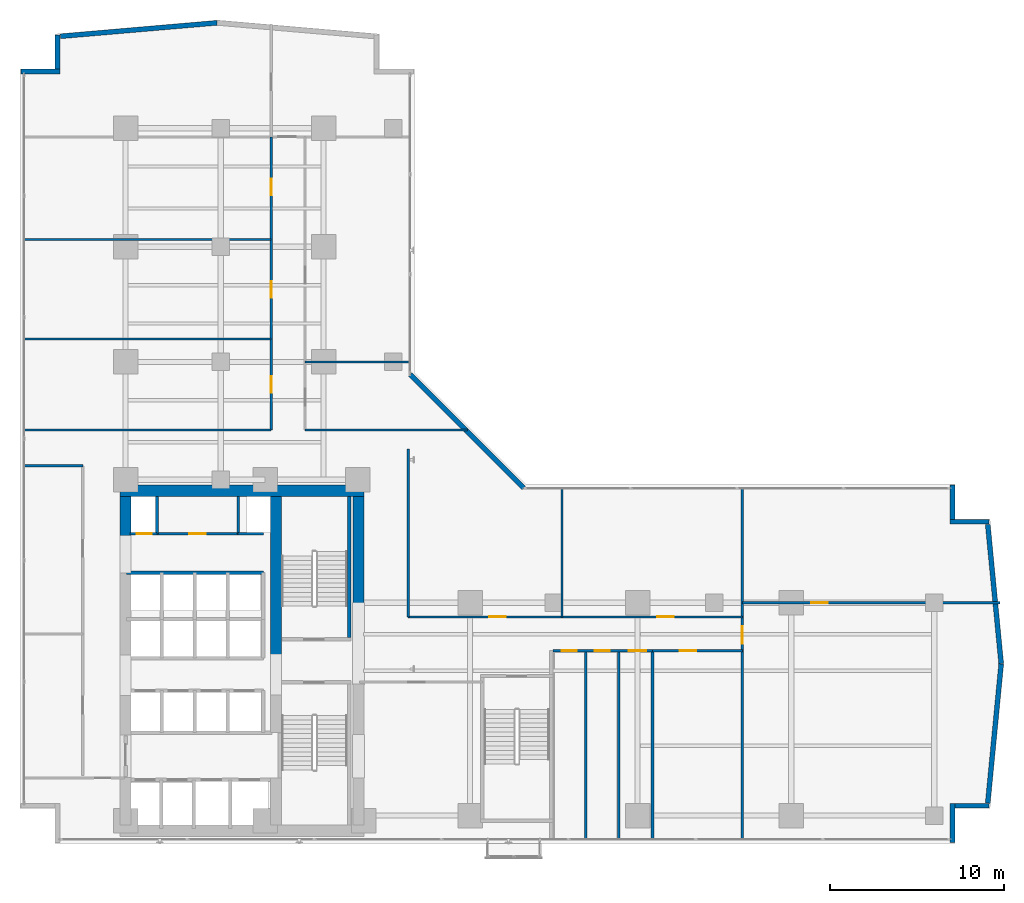
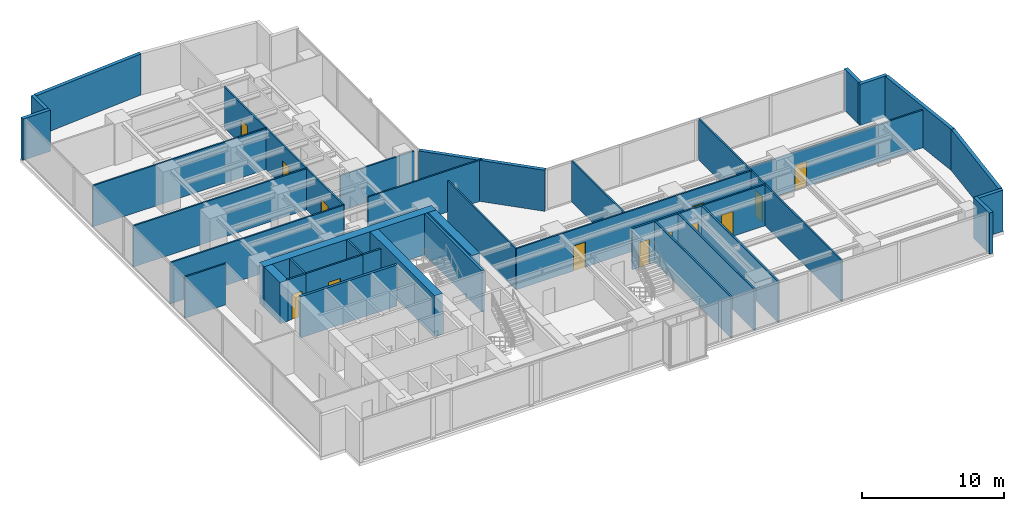
# One storey, part 20 of 24: 38 walls, 13 doors, 13 openings.
"""IFC4 building model written with IfcOpenShell, lengths in metres."""

import ifcopenshell
import ifcopenshell.guid

model = None  # the IFC model being written
_history = None  # IfcOwnerHistory: only IFC2X3 demands one
_inside = {}  # id of a spatial element -> (the spatial element, [elements in it])
_under = {}  # id of a project, library or spatial element -> (it, [spatial elements below it])
_declared = {}  # id of a project -> (the project, [libraries it declares])
_typed = {}  # id of a type object -> (the type object, [elements of that type])
_made_of = {}  # id of a material, layer set ... -> (it, [elements and type objects made of it])


def new_model(schema):
    """Start an empty IFC model of exactly this schema.

    Asked for "IFC4X3", IfcOpenShell would pick the latest addendum, in which some entities
    have other attributes; the version numbers below select the first issue.
    IFC2X3 requires an IfcOwnerHistory on every rooted entity: one is made here for all.
    """
    global model, _history
    if schema == "IFC4X3":
        model = ifcopenshell.file(schema_version=(4, 3, 0, 0))
    else:
        model = ifcopenshell.file(schema=schema)
    _inside.clear()
    _under.clear()
    _declared.clear()
    _typed.clear()
    _made_of.clear()
    _history = None
    if model.schema == "IFC2X3":
        org = make("IfcOrganization", Name="unknown")
        user = make(
            "IfcPersonAndOrganization",
            ThePerson=make("IfcPerson", FamilyName="unknown"),
            TheOrganization=org,
        )
        app = make(
            "IfcApplication",
            ApplicationDeveloper=org,
            Version="unknown",
            ApplicationFullName="unknown",
            ApplicationIdentifier="unknown",
        )
        _history = make(
            "IfcOwnerHistory",
            OwningUser=user,
            OwningApplication=app,
            ChangeAction="ADDED",
            CreationDate=0,
        )
    return model


def make(cls, **values):
    """One entity of the class cls with the attributes given. An attribute that is None is left unset."""
    return model.create_entity(
        cls, **{name: value for name, value in values.items() if value is not None}
    )


def rooted(cls, **values):
    """An entity with a GlobalId (a new one), such as an element, a storey or a relation."""
    return make(cls, GlobalId=ifcopenshell.guid.new(), OwnerHistory=_history, **values)


def si_unit(unit_type, name, prefix=None):
    """IfcSIUnit, for example si_unit("LENGTHUNIT", "METRE", prefix="MILLI")."""
    return make("IfcSIUnit", UnitType=unit_type, Prefix=prefix, Name=name)


def assignment(units):
    """IfcUnitAssignment: the units of a project."""
    return None if units is None else make("IfcUnitAssignment", Units=units)


def point(xyz):
    """IfcCartesianPoint."""
    return None if xyz is None else make("IfcCartesianPoint", Coordinates=xyz)


def direction(xyz):
    """IfcDirection."""
    return None if xyz is None else make("IfcDirection", DirectionRatios=xyz)


def frame(location, z_axis=None, x_axis=None):
    """IfcAxis2Placement3D, a coordinate frame: its origin and axes. An axis left out is left unset."""
    return make(
        "IfcAxis2Placement3D",
        Location=point(location),
        Axis=direction(z_axis),
        RefDirection=direction(x_axis),
    )


def frame_2d(location, x_axis=None):
    """IfcAxis2Placement2D, a coordinate frame in the plane: its origin and x axis."""
    return make(
        "IfcAxis2Placement2D", Location=point(location), RefDirection=direction(x_axis)
    )


def origin():
    """The frame at (0, 0, 0) with its axes left unset."""
    return frame((0.0, 0.0, 0.0))


def place(relative_to, where):
    """IfcLocalPlacement: puts the frame where relative to a parent placement (None: the world)."""
    return make(
        "IfcLocalPlacement", PlacementRelTo=relative_to, RelativePlacement=where
    )


def context(
    kind, dimensions, precision=None, world=None, true_north=None, identifier=None
):
    """IfcGeometricRepresentationContext, for example the 3D "Model" context."""
    return make(
        "IfcGeometricRepresentationContext",
        ContextIdentifier=identifier,
        ContextType=kind,
        CoordinateSpaceDimension=dimensions,
        Precision=precision,
        WorldCoordinateSystem=world,
        TrueNorth=true_north,
    )


def subcontext(parent, identifier, kind, view, scale=None):
    """IfcGeometricRepresentationSubContext, for example "Body" below "Model"."""
    return make(
        "IfcGeometricRepresentationSubContext",
        ContextIdentifier=identifier,
        ContextType=kind,
        ParentContext=parent,
        TargetScale=scale,
        TargetView=view,
    )


def project(units=None, contexts=None):
    """IfcProject with its units and contexts."""
    return rooted(
        "IfcProject",
        Name="project",
        RepresentationContexts=contexts,
        UnitsInContext=assignment(units),
    )


def spatial(cls, under=None, at=None, **own):
    """A site, building, storey or space (cls), placed at a placement, below another one or the project."""
    s = rooted(cls, ObjectPlacement=at, **own)
    if under is not None:
        _under.setdefault(under.id(), (under, []))[1].append(s)
    return s


def profile(cls, at=None, kind="AREA", **sizes):
    """A parametric profile (cls). Its sizes go by their IFC names, for example OverallWidth=200.0."""
    return make(cls, ProfileType=kind, Position=at, **sizes)


def rectangle(**sizes):
    """IfcRectangleProfileDef."""
    return profile("IfcRectangleProfileDef", **sizes)


def extrude(swept, where, along, depth):
    """IfcExtrudedAreaSolid: the profile swept, set in the frame where, extruded along a direction by depth."""
    return make(
        "IfcExtrudedAreaSolid",
        SweptArea=swept,
        Position=where,
        ExtrudedDirection=direction(along),
        Depth=depth,
    )


def shape(context_of_items, identifier, shape_type, items):
    """IfcShapeRepresentation: the items that make up one representation, for example the "Body"."""
    return make(
        "IfcShapeRepresentation",
        ContextOfItems=context_of_items,
        RepresentationIdentifier=identifier,
        RepresentationType=shape_type,
        Items=items,
    )


def material(Name=None, Category=None):
    """IfcMaterial."""
    return make("IfcMaterial", Name=Name, Category=Category)


def layer(
    of_material, thickness, ventilated=None, Name=None, Category=None, Priority=None
):
    """IfcMaterialLayer: one layer of a wall or slab, of a material (None: an air gap)."""
    return make(
        "IfcMaterialLayer",
        Material=of_material,
        LayerThickness=thickness,
        IsVentilated=ventilated,
        Name=Name,
        Category=Category,
        Priority=Priority,
    )


def layer_set(layers, Name=None):
    """IfcMaterialLayerSet."""
    return make("IfcMaterialLayerSet", MaterialLayers=layers, LayerSetName=Name)


def made_of(thing, what):
    """Note that an element or type object is made of a material, layer set ...; save() writes the relation."""
    if what is not None:
        _made_of.setdefault(what.id(), (what, []))[1].append(thing)
    return thing


def type_object(cls, material=None, **own):
    """A type object (cls), such as IfcWallType, which elements share."""
    return made_of(rooted(cls, **own), material)


def element(
    cls,
    number,
    at=None,
    inside=None,
    cuts=None,
    type_object=None,
    material=None,
    context=None,
    identifier="Body",
    shape_type=None,
    held_by="IfcProductDefinitionShape",
    body=None,
    shapes=None,
    **own,
):
    """One element of the class cls, such as IfcWall. Its Tag is "e" and its number.

    at: its placement. inside: the storey or other place that contains it. cuts: it is an
    opening in that element (IfcRelVoidsElement). A single representation is given by context,
    identifier, shape_type and body (its items); several are given by shapes. held_by: the class
    of the entity that holds the representations. save() writes the other relations.
    """
    e = rooted(cls, Tag="e%d" % number, ObjectPlacement=at, **own)
    if body is not None:
        shapes = [shape(context, identifier, shape_type, body)]
    if shapes is not None:
        e.Representation = make(held_by, Representations=shapes)
    if inside is not None:
        _inside.setdefault(inside.id(), (inside, []))[1].append(e)
    if cuts is not None:
        rooted(
            "IfcRelVoidsElement", RelatingBuildingElement=cuts, RelatedOpeningElement=e
        )
    if type_object is not None:
        _typed.setdefault(type_object.id(), (type_object, []))[1].append(e)
    return made_of(e, material)


def fill(opening, filler):
    """IfcRelFillsElement: the door or window that sits in an opening."""
    return rooted(
        "IfcRelFillsElement",
        RelatingOpeningElement=opening,
        RelatedBuildingElement=filler,
    )


def aggregate(whole, parts):
    """IfcRelAggregates: a whole, such as a stair, and the parts it consists of."""
    return rooted("IfcRelAggregates", RelatingObject=whole, RelatedObjects=parts)


def save(model, path):
    """Write the relations noted so far, then the file.

    IfcRelAggregates (storeys below a building ...), IfcRelContainedInSpatialStructure (elements
    in a storey), IfcRelDefinesByType, IfcRelAssociatesMaterial and IfcRelDeclares: one each for
    every whole, place, type object, material and project.
    """
    for whole, parts in _under.values():
        aggregate(whole, parts)
    for where, things in _inside.values():
        rooted(
            "IfcRelContainedInSpatialStructure",
            RelatedElements=things,
            RelatingStructure=where,
        )
    for kind, things in _typed.values():
        rooted("IfcRelDefinesByType", RelatedObjects=things, RelatingType=kind)
    for what, things in _made_of.values():
        rooted("IfcRelAssociatesMaterial", RelatedObjects=things, RelatingMaterial=what)
    for by, libraries in _declared.values():
        rooted("IfcRelDeclares", RelatingContext=by, RelatedDefinitions=libraries)
    model.write(path)


model = new_model("IFC4")

# Units and contexts
model_context = context("Model", 3, precision=1e-05, world=origin(), true_north=direction((0.0, 1.0)))
body_context = subcontext(model_context, "Body", "Model", "MODEL_VIEW")
ifc_project = project(units=[si_unit("LENGTHUNIT", "METRE"), si_unit("AREAUNIT", "SQUARE_METRE"), si_unit("VOLUMEUNIT", "CUBIC_METRE"), si_unit("PLANEANGLEUNIT", "RADIAN"), si_unit("MASSUNIT", "GRAM", prefix="KILO")], contexts=[model_context])

# Site, building, storey
site_placement = place(None, origin())
site = spatial("IfcSite", under=ifc_project, at=site_placement, CompositionType="ELEMENT")
building_placement = place(site_placement, origin())
building = spatial("IfcBuilding", under=site, at=building_placement, Name="Kolvaren Waterfront Exchange", CompositionType="ELEMENT")
storey_placement = place(building_placement, frame((0.0, 0.0, 95.5)))
storey = spatial("IfcBuildingStorey", under=building, at=storey_placement, Name="L24", CompositionType="ELEMENT", Elevation=95.5)

# Walls
ifc_material_1 = material(Name="Precast concrete C40/50", Category="concrete")
ifc_layer_1 = layer(ifc_material_1, 0.280029296875, Name="Precast concrete C40/50")
ifc_layer_set_1 = layer_set([ifc_layer_1], Name="Precast concrete C40/50")
wall_type_1 = type_object("IfcWallType", Name="ARC-EXT-TERR-280", PredefinedType="SOLIDWALL", material=ifc_layer_set_1)
wall_1_placement = place(storey_placement, frame((54.840087890625, 3.659912109375, 0.0), z_axis=(0.0, 0.0, 1.0), x_axis=(0.0, 1.0, 0.0)))
element("IfcWall", 1, at=wall_1_placement, inside=storey, type_object=wall_type_1, Name="L24 notched corner spandrel pier SE-A", PredefinedType="SOLIDWALL", context=body_context, shape_type="SweptSolid", body=[
    extrude(rectangle(XDim=2.239990234375, YDim=0.280029296875, at=frame_2d((1.1201171875, 0.0))), origin(), (0.0, 0.0, 1.0), 3.5400390625),
])
wall_2_placement = place(storey_placement, frame((54.97998046875, 5.760009765625, 0.0), z_axis=(0.0, 0.0, 1.0), x_axis=(1.0, 0.0, 0.0)))
element("IfcWall", 2, at=wall_2_placement, inside=storey, type_object=wall_type_1, Name="L24 notched corner spandrel pier SE-B", PredefinedType="SOLIDWALL", context=body_context, shape_type="SweptSolid", body=[
    extrude(rectangle(XDim=1.9599609375, YDim=0.280029296875, at=frame_2d((0.97998046875, 0.0))), origin(), (0.0, 0.0, 1.0), 3.5400390625),
])
wall_3_placement = place(storey_placement, frame((54.840087890625, 22.1650390625, 0.0), z_axis=(0.0, 0.0, 1.0), x_axis=(0.0, 1.0, 0.0)))
element("IfcWall", 3, at=wall_3_placement, inside=storey, type_object=wall_type_1, Name="L24 notched corner spandrel pier ENE-A", PredefinedType="SOLIDWALL", context=body_context, shape_type="SweptSolid", body=[
    extrude(rectangle(XDim=1.974853515625, YDim=0.280029296875, at=frame_2d((0.9873046875, 0.0))), origin(), (0.0, 0.0, 1.0), 3.5400390625),
])
for number, where, z_axis, x_axis, name in (
    (4, (54.699951171875, 22.0400390625, 0.0), (0.0, 0.0, 1.0), (1.0, 0.0, 0.0), "L24 notched corner spandrel pier ENE-B"),
    (5, (1.4599609375, 47.840087890625, 0.0), (0.0, 0.0, 1.0), (1.0, 0.0, 0.0), "L24 notched corner spandrel pier NW-A"),
):
    element("IfcWall", number, at=place(storey_placement, frame(where, z_axis=z_axis, x_axis=x_axis)), inside=storey, type_object=wall_type_1, Name=name, PredefinedType="SOLIDWALL", context=body_context, shape_type="SweptSolid", body=[
        extrude(rectangle(XDim=2.239990234375, YDim=0.280029296875, at=frame_2d((1.1201171875, 0.0))), origin(), (0.0, 0.0, 1.0), 3.5400390625),
    ])
wall_4_placement = place(storey_placement, frame((3.56005859375, 47.97998046875, 0.0), z_axis=(0.0, 0.0, 1.0), x_axis=(0.0, 1.0, 0.0)))
element("IfcWall", 6, at=wall_4_placement, inside=storey, type_object=wall_type_1, Name="L24 notched corner spandrel pier NW-B", PredefinedType="SOLIDWALL", context=body_context, shape_type="SweptSolid", body=[
    extrude(rectangle(XDim=1.9599609375, YDim=0.280029296875, at=frame_2d((0.97998046875, 0.0))), origin(), (0.0, 0.0, 1.0), 3.5400390625),
])
wall_5_placement = place(storey_placement, frame((30.284912109375, 23.97509765625, 0.0), z_axis=(0.0, 0.0, 1.0), x_axis=(-0.707106781187, 0.707106781187, 0.0)))
element("IfcWall", 7, at=wall_5_placement, inside=storey, type_object=wall_type_1, Name="L24 notched corner spandrel pier ELBOW", PredefinedType="SOLIDWALL", context=body_context, shape_type="SweptSolid", body=[
    extrude(rectangle(XDim=9.20654296875, YDim=0.280029296875, at=frame_2d((4.603271484375, 0.0))), origin(), (0.0, 0.0, 1.0), 3.5400390625),
])
for number, where, z_axis, x_axis, name in (
    (8, (56.869384765625, 5.9140625, 0.0), (0.0, 0.0, 1.0), (0.095969995245, 0.995384227328, 0.0), "L24 east prow faceted facade wall 1"),
    (9, (57.638916015625, 13.904541015625, 0.0), (0.0, 0.0, 1.0), (-0.095969995245, 0.995384227328, 0.0), "L24 east prow faceted facade wall 2"),
):
    element("IfcWall", number, at=place(storey_placement, frame(where, z_axis=z_axis, x_axis=x_axis)), inside=storey, type_object=wall_type_1, Name=name, PredefinedType="SOLIDWALL", context=body_context, shape_type="SweptSolid", body=[
        extrude(rectangle(XDim=8.0185546875, YDim=0.280029296875, at=frame_2d((4.00927734375, 0.0))), origin(), (0.0, 0.0, 1.0), 3.5400390625),
    ])
wall_6_placement = place(storey_placement, frame((12.69384765625, 50.638916015625, 0.0), z_axis=(0.0, 0.0, 1.0), x_axis=(-0.996319339243, -0.085719159179, 0.0)))
element("IfcWall", 10, at=wall_6_placement, inside=storey, type_object=wall_type_1, Name="L24 north prow faceted facade wall 2", PredefinedType="SOLIDWALL", context=body_context, shape_type="SweptSolid", body=[
    extrude(rectangle(XDim=9.014404296875, YDim=0.280029296875, at=frame_2d((4.50732421875, 0.0))), origin(), (0.0, 0.0, 1.0), 3.5400390625),
])

# Wall, opening, door
ifc_material_2 = material(Name="Acoustic gypsum steel stud", Category="steel")
ifc_layer_2 = layer(ifc_material_2, 0.125, Name="Acoustic gypsum steel stud")
ifc_layer_set_2 = layer_set([ifc_layer_2], Name="Acoustic gypsum steel stud")
wall_type_2 = type_object("IfcWallType", Name="ARC-PART-125", PredefinedType="PARTITIONING", material=ifc_layer_set_2)
wall_7_placement = place(storey_placement, frame((9.25, 21.35009765625, 0.0), z_axis=(0.0, 0.0, 1.0), x_axis=(1.0, 0.0, 0.0)))
wall_7 = element("IfcWall", 11, at=wall_7_placement, inside=storey, type_object=wall_type_2, Name="L24 interior wall PW-L24-SVC-EX-S", PredefinedType="PARTITIONING", context=body_context, shape_type="SweptSolid", body=[
    extrude(rectangle(XDim=4.64990234375, YDim=0.125, at=frame_2d((2.324951171875, 0.0))), origin(), (0.0, 0.0, 1.0), 3.5400390625),
])
opening_1_placement = place(wall_7_placement, frame((1.85009765625, 0.0, 0.0)))
opening_1 = element("IfcOpeningElement", 12, at=opening_1_placement, cuts=wall_7, Name="Opening D02", PredefinedType="OPENING", context=body_context, shape_type="SweptSolid", body=[
    extrude(rectangle(XDim=0.949951171875, YDim=2.14990234375, at=frame_2d((0.47509765625, 1.074951171875))), frame((0.0, 0.072509765625, 0.0), z_axis=(0.0, -1.0, 0.0), x_axis=(1.0, 0.0, 0.0)), (0.0, 0.0, 1.0), 0.14501953125),
])
ifc_material_3 = material(Name="Oak veneer acoustic timber", Category="wood")
door_type_1 = type_object("IfcDoorType", Name="ARC-DR-950", OperationType="NOTDEFINED", PredefinedType="DOOR", material=ifc_material_3)
door_1_placement = place(opening_1_placement, origin())
door_1 = element("IfcDoor", 13, at=door_1_placement, inside=storey, type_object=door_type_1, Name="L24 door DR-L24-SVC-DR-1 (D02)", OperationType="SINGLE_SWING_LEFT", OverallHeight=2.14990234375, OverallWidth=0.949951171875, PredefinedType="DOOR", context=body_context, shape_type="SweptSolid", body=[
    extrude(rectangle(XDim=0.949951171875, YDim=2.14990234375, at=frame_2d((0.47509765625, 1.074951171875))), frame((0.0, 0.02490234375, 0.0), z_axis=(0.0, -1.0, 0.0), x_axis=(1.0, 0.0, 0.0)), (0.0, 0.0, 1.0), 0.050048828125),
])
fill(opening_1, door_1)

# Wall
wall_8_placement = place(storey_placement, frame((1.639892578125, 25.25, 0.0), z_axis=(0.0, 0.0, 1.0), x_axis=(1.0, 0.0, 0.0)))
element("IfcWall", 14, at=wall_8_placement, inside=storey, type_object=wall_type_2, Name="L24 interior wall PW-L24-WFLANK-N", PredefinedType="PARTITIONING", context=body_context, shape_type="SweptSolid", body=[
    extrude(rectangle(XDim=3.360107421875, YDim=0.125, at=frame_2d((1.68017578125, 0.0))), origin(), (0.0, 0.0, 1.0), 3.5400390625),
])

# Wall, opening, door
wall_9_placement = place(storey_placement, frame((37.64990234375, 14.64990234375, 0.0), z_axis=(0.0, 0.0, 1.0), x_axis=(1.0, 0.0, 0.0)))
wall_9 = element("IfcWall", 15, at=wall_9_placement, inside=storey, type_object=wall_type_2, Name="L24 interior wall PW-L24-ES-CORR", PredefinedType="PARTITIONING", context=body_context, shape_type="SweptSolid", body=[
    extrude(rectangle(XDim=5.150146484375, YDim=0.125, at=frame_2d((2.5751953125, 0.0))), origin(), (0.0, 0.0, 1.0), 3.5400390625),
])
opening_2_placement = place(wall_9_placement, frame((1.552978515625, 0.0, 0.0)))
opening_2 = element("IfcOpeningElement", 16, at=opening_2_placement, cuts=wall_9, Name="Opening D02", PredefinedType="OPENING", context=body_context, shape_type="SweptSolid", body=[
    extrude(rectangle(XDim=0.949951171875, YDim=2.14990234375, at=frame_2d((0.47509765625, 1.074951171875))), frame((0.0, 0.072509765625, 0.0), z_axis=(0.0, -1.0, 0.0), x_axis=(1.0, 0.0, 0.0)), (0.0, 0.0, 1.0), 0.14501953125),
])
door_2_placement = place(opening_2_placement, origin())
door_2 = element("IfcDoor", 17, at=door_2_placement, inside=storey, type_object=door_type_1, Name="L24 door DR-L24-ES-D-1 (D02)", OperationType="SINGLE_SWING_LEFT", OverallHeight=2.14990234375, OverallWidth=0.949951171875, PredefinedType="DOOR", context=body_context, shape_type="SweptSolid", body=[
    extrude(rectangle(XDim=0.949951171875, YDim=2.14990234375, at=frame_2d((0.47509765625, 1.074951171875))), frame((0.0, 0.02490234375, 0.0), z_axis=(0.0, -1.0, 0.0), x_axis=(1.0, 0.0, 0.0)), (0.0, 0.0, 1.0), 0.050048828125),
])
fill(opening_2, door_2)

wall_10_placement = place(storey_placement, frame((42.800048828125, 3.840087890625, 0.0), z_axis=(0.0, 0.0, 1.0), x_axis=(0.0, 1.0, 0.0)))
wall_10 = element("IfcWall", 18, at=wall_10_placement, inside=storey, type_object=wall_type_2, Name="L24 interior wall PW-L24-ETIP-W", PredefinedType="PARTITIONING", context=body_context, shape_type="SweptSolid", body=[
    extrude(rectangle(XDim=20.119873046875, YDim=0.125, at=frame_2d((10.06005859375, 0.0))), origin(), (0.0, 0.0, 1.0), 3.5400390625),
])
opening_3_placement = place(wall_10_placement, frame((11.2099609375, 0.0, 0.0)))
opening_3 = element("IfcOpeningElement", 19, at=opening_3_placement, cuts=wall_10, Name="Opening D03", PredefinedType="OPENING", context=body_context, shape_type="SweptSolid", body=[
    extrude(rectangle(XDim=1.0, YDim=2.199951171875, at=frame_2d((0.5, 1.10009765625))), frame((0.0, 0.072509765625, 0.0), z_axis=(0.0, -1.0, 0.0), x_axis=(1.0, 0.0, 0.0)), (0.0, 0.0, 1.0), 0.14501953125),
])
ifc_material_4 = material(Name="Oak veneer accessible timber", Category="wood")
door_type_2 = type_object("IfcDoorType", Name="ARC-DR-1000", OperationType="NOTDEFINED", PredefinedType="DOOR", material=ifc_material_4)
door_3_placement = place(opening_3_placement, origin())
door_3 = element("IfcDoor", 20, at=door_3_placement, inside=storey, type_object=door_type_2, Name="L24 door DR-L24-ETIP1-D (D03)", OperationType="SINGLE_SWING_RIGHT", OverallHeight=2.199951171875, OverallWidth=1.0, PredefinedType="DOOR", context=body_context, shape_type="SweptSolid", body=[
    extrude(rectangle(XDim=1.0, YDim=2.199951171875, at=frame_2d((0.5, 1.10009765625))), frame((0.0, 0.02490234375, 0.0), z_axis=(0.0, -1.0, 0.0), x_axis=(1.0, 0.0, 0.0)), (0.0, 0.0, 1.0), 0.050048828125),
])
fill(opening_3, door_3)

wall_11_placement = place(storey_placement, frame((42.800048828125, 17.39990234375, 0.0), z_axis=(0.0, 0.0, 1.0), x_axis=(1.0, 0.0, 0.0)))
wall_11 = element("IfcWall", 21, at=wall_11_placement, inside=storey, type_object=wall_type_2, Name="L24 interior wall PW-L24-ETIP-MID", PredefinedType="PARTITIONING", context=body_context, shape_type="SweptSolid", body=[
    extrude(rectangle(XDim=14.760009765625, YDim=0.125, at=frame_2d((7.3798828125, 0.0))), origin(), (0.0, 0.0, 1.0), 3.239990234375),
])
opening_4_placement = place(wall_11_placement, frame((3.956298828125, 0.0, 0.0)))
opening_4 = element("IfcOpeningElement", 22, at=opening_4_placement, cuts=wall_11, Name="Opening D02", PredefinedType="OPENING", context=body_context, shape_type="SweptSolid", body=[
    extrude(rectangle(XDim=0.949951171875, YDim=2.14990234375, at=frame_2d((0.47509765625, 1.074951171875))), frame((0.0, 0.072509765625, 0.0), z_axis=(0.0, -1.0, 0.0), x_axis=(1.0, 0.0, 0.0)), (0.0, 0.0, 1.0), 0.14501953125),
])
door_4_placement = place(opening_4_placement, origin())
door_4 = element("IfcDoor", 23, at=door_4_placement, inside=storey, type_object=door_type_1, Name="L24 door DR-L24-ETIP2-D (D02)", OperationType="SINGLE_SWING_LEFT", OverallHeight=2.14990234375, OverallWidth=0.949951171875, PredefinedType="DOOR", context=body_context, shape_type="SweptSolid", body=[
    extrude(rectangle(XDim=0.949951171875, YDim=2.14990234375, at=frame_2d((0.47509765625, 1.074951171875))), frame((0.0, 0.02490234375, 0.0), z_axis=(0.0, -1.0, 0.0), x_axis=(1.0, 0.0, 0.0)), (0.0, 0.0, 1.0), 0.050048828125),
])
fill(opening_4, door_4)

# Wall
wall_12_placement = place(storey_placement, frame((23.64990234375, 16.590087890625, 0.0), z_axis=(0.0, 0.0, 1.0), x_axis=(0.0, 1.0, 0.0)))
element("IfcWall", 24, at=wall_12_placement, inside=storey, type_object=wall_type_2, Name="L24 interior wall PW-L24-EN-W0", PredefinedType="PARTITIONING", context=body_context, shape_type="SweptSolid", body=[
    extrude(rectangle(XDim=9.60986328125, YDim=0.125, at=frame_2d((4.804931640625, 0.0))), origin(), (0.0, 0.0, 1.0), 3.5400390625),
])

# Wall, openings, doors
wall_13_placement = place(storey_placement, frame((23.64990234375, 16.590087890625, 0.0), z_axis=(0.0, 0.0, 1.0), x_axis=(1.0, 0.0, 0.0)))
wall_13 = element("IfcWall", 25, at=wall_13_placement, inside=storey, type_object=wall_type_2, Name="L24 interior wall PW-L24-EN-CORR", PredefinedType="PARTITIONING", context=body_context, shape_type="SweptSolid", body=[
    extrude(rectangle(XDim=19.150146484375, YDim=0.125, at=frame_2d((9.5751953125, 0.0))), origin(), (0.0, 0.0, 1.0), 3.5400390625),
])
opening_5_placement = place(wall_13_placement, frame((4.635986328125, 0.0, 0.0)))
opening_5 = element("IfcOpeningElement", 26, at=opening_5_placement, cuts=wall_13, Name="Opening D02", PredefinedType="OPENING", context=body_context, shape_type="SweptSolid", body=[
    extrude(rectangle(XDim=0.949951171875, YDim=2.14990234375, at=frame_2d((0.47509765625, 1.074951171875))), frame((0.0, 0.072509765625, 0.0), z_axis=(0.0, -1.0, 0.0), x_axis=(1.0, 0.0, 0.0)), (0.0, 0.0, 1.0), 0.14501953125),
])
opening_6_placement = place(wall_13_placement, frame((14.279541015625, 0.0, 0.0)))
opening_6 = element("IfcOpeningElement", 27, at=opening_6_placement, cuts=wall_13, Name="Opening D02", PredefinedType="OPENING", context=body_context, shape_type="SweptSolid", body=[
    extrude(rectangle(XDim=0.949951171875, YDim=2.14990234375, at=frame_2d((0.47509765625, 1.074951171875))), frame((0.0, 0.072509765625, 0.0), z_axis=(0.0, -1.0, 0.0), x_axis=(1.0, 0.0, 0.0)), (0.0, 0.0, 1.0), 0.14501953125),
])
door_5_placement = place(opening_5_placement, origin())
door_5 = element("IfcDoor", 28, at=door_5_placement, inside=storey, type_object=door_type_1, Name="L24 door DR-L24-EN-D-1 (D02)", OperationType="SINGLE_SWING_RIGHT", OverallHeight=2.14990234375, OverallWidth=0.949951171875, PredefinedType="DOOR", context=body_context, shape_type="SweptSolid", body=[
    extrude(rectangle(XDim=0.949951171875, YDim=2.14990234375, at=frame_2d((0.47509765625, 1.074951171875))), frame((0.0, 0.02490234375, 0.0), z_axis=(0.0, -1.0, 0.0), x_axis=(1.0, 0.0, 0.0)), (0.0, 0.0, 1.0), 0.050048828125),
])
fill(opening_5, door_5)
door_6_placement = place(opening_6_placement, origin())
door_6 = element("IfcDoor", 29, at=door_6_placement, inside=storey, type_object=door_type_1, Name="L24 door DR-L24-EN-D-2 (D02)", OperationType="SINGLE_SWING_LEFT", OverallHeight=2.14990234375, OverallWidth=0.949951171875, PredefinedType="DOOR", context=body_context, shape_type="SweptSolid", body=[
    extrude(rectangle(XDim=0.949951171875, YDim=2.14990234375, at=frame_2d((0.47509765625, 1.074951171875))), frame((0.0, 0.02490234375, 0.0), z_axis=(0.0, -1.0, 0.0), x_axis=(1.0, 0.0, 0.0)), (0.0, 0.0, 1.0), 0.050048828125),
])
fill(opening_6, door_6)

# Walls
wall_14_placement = place(storey_placement, frame((32.4599609375, 16.590087890625, 0.0), z_axis=(0.0, 0.0, 1.0), x_axis=(0.0, 1.0, 0.0)))
element("IfcWall", 30, at=wall_14_placement, inside=storey, type_object=wall_type_2, Name="L24 interior wall PW-L24-EN-DIV-1", PredefinedType="PARTITIONING", context=body_context, shape_type="SweptSolid", body=[
    extrude(rectangle(XDim=7.369873046875, YDim=0.125, at=frame_2d((3.68505859375, 0.0))), origin(), (0.0, 0.0, 1.0), 3.5400390625),
])
wall_15_placement = place(storey_placement, frame((1.639892578125, 27.300048828125, 0.0), z_axis=(0.0, 0.0, 1.0), x_axis=(1.0, 0.0, 0.0)))
element("IfcWall", 31, at=wall_15_placement, inside=storey, type_object=wall_type_2, Name="L24 interior wall PW-L24-NW-S0", PredefinedType="PARTITIONING", context=body_context, shape_type="SweptSolid", body=[
    extrude(rectangle(XDim=14.16015625, YDim=0.125, at=frame_2d((7.080078125, 0.0))), origin(), (0.0, 0.0, 1.0), 3.5400390625),
])

# Wall, openings, doors
wall_16_placement = place(storey_placement, frame((15.800048828125, 27.300048828125, 0.0), z_axis=(0.0, 0.0, 1.0), x_axis=(0.0, 1.0, 0.0)))
wall_16 = element("IfcWall", 32, at=wall_16_placement, inside=storey, type_object=wall_type_2, Name="L24 interior wall PW-L24-NW-CORR", PredefinedType="PARTITIONING", context=body_context, shape_type="SweptSolid", body=[
    extrude(rectangle(XDim=16.800048828125, YDim=0.125, at=frame_2d((8.39990234375, 0.0))), origin(), (0.0, 0.0, 1.0), 3.5400390625),
])
opening_7_placement = place(wall_16_placement, frame((2.1298828125, 0.0, 0.0)))
opening_7 = element("IfcOpeningElement", 33, at=opening_7_placement, cuts=wall_16, Name="Opening D02", PredefinedType="OPENING", context=body_context, shape_type="SweptSolid", body=[
    extrude(rectangle(XDim=0.949951171875, YDim=2.14990234375, at=frame_2d((0.47509765625, 1.074951171875))), frame((0.0, 0.072509765625, 0.0), z_axis=(0.0, -1.0, 0.0), x_axis=(1.0, 0.0, 0.0)), (0.0, 0.0, 1.0), 0.14501953125),
])
opening_8_placement = place(wall_16_placement, frame((7.590087890625, 0.0, 0.0)))
opening_8 = element("IfcOpeningElement", 34, at=opening_8_placement, cuts=wall_16, Name="Opening D02", PredefinedType="OPENING", context=body_context, shape_type="SweptSolid", body=[
    extrude(rectangle(XDim=0.949951171875, YDim=2.14990234375, at=frame_2d((0.47509765625, 1.074951171875))), frame((0.0, 0.072509765625, 0.0), z_axis=(0.0, -1.0, 0.0), x_axis=(1.0, 0.0, 0.0)), (0.0, 0.0, 1.0), 0.14501953125),
])
opening_9_placement = place(wall_16_placement, frame((13.456298828125, 0.0, 0.0)))
opening_9 = element("IfcOpeningElement", 35, at=opening_9_placement, cuts=wall_16, Name="Opening D02", PredefinedType="OPENING", context=body_context, shape_type="SweptSolid", body=[
    extrude(rectangle(XDim=0.949951171875, YDim=2.14990234375, at=frame_2d((0.47509765625, 1.074951171875))), frame((0.0, 0.072509765625, 0.0), z_axis=(0.0, -1.0, 0.0), x_axis=(1.0, 0.0, 0.0)), (0.0, 0.0, 1.0), 0.14501953125),
])
door_7_placement = place(opening_7_placement, origin())
door_7 = element("IfcDoor", 36, at=door_7_placement, inside=storey, type_object=door_type_1, Name="L24 door DR-L24-NW-D-1 (D02)", OperationType="SINGLE_SWING_RIGHT", OverallHeight=2.14990234375, OverallWidth=0.949951171875, PredefinedType="DOOR", context=body_context, shape_type="SweptSolid", body=[
    extrude(rectangle(XDim=0.949951171875, YDim=2.14990234375, at=frame_2d((0.47509765625, 1.074951171875))), frame((0.0, 0.02490234375, 0.0), z_axis=(0.0, -1.0, 0.0), x_axis=(1.0, 0.0, 0.0)), (0.0, 0.0, 1.0), 0.050048828125),
])
fill(opening_7, door_7)
door_8_placement = place(opening_8_placement, origin())
door_8 = element("IfcDoor", 37, at=door_8_placement, inside=storey, type_object=door_type_1, Name="L24 door DR-L24-NW-D-2 (D02)", OperationType="SINGLE_SWING_LEFT", OverallHeight=2.14990234375, OverallWidth=0.949951171875, PredefinedType="DOOR", context=body_context, shape_type="SweptSolid", body=[
    extrude(rectangle(XDim=0.949951171875, YDim=2.14990234375, at=frame_2d((0.47509765625, 1.074951171875))), frame((0.0, 0.02490234375, 0.0), z_axis=(0.0, -1.0, 0.0), x_axis=(1.0, 0.0, 0.0)), (0.0, 0.0, 1.0), 0.050048828125),
])
fill(opening_8, door_8)
door_9_placement = place(opening_9_placement, origin())
door_9 = element("IfcDoor", 38, at=door_9_placement, inside=storey, type_object=door_type_1, Name="L24 door DR-L24-NW-D-3 (D02)", OperationType="SINGLE_SWING_RIGHT", OverallHeight=2.14990234375, OverallWidth=0.949951171875, PredefinedType="DOOR", context=body_context, shape_type="SweptSolid", body=[
    extrude(rectangle(XDim=0.949951171875, YDim=2.14990234375, at=frame_2d((0.47509765625, 1.074951171875))), frame((0.0, 0.02490234375, 0.0), z_axis=(0.0, -1.0, 0.0), x_axis=(1.0, 0.0, 0.0)), (0.0, 0.0, 1.0), 0.050048828125),
])
fill(opening_9, door_9)

# Walls
for number, where, z_axis, x_axis, name in (
    (39, (1.639892578125, 32.510009765625, 0.0), (0.0, 0.0, 1.0), (1.0, 0.0, 0.0), "L24 interior wall PW-L24-NW-DIV-1"),
    (40, (1.639892578125, 38.219970703125, 0.0), (0.0, 0.0, 1.0), (1.0, 0.0, 0.0), "L24 interior wall PW-L24-NW-DIV-2"),
):
    element("IfcWall", number, at=place(storey_placement, frame(where, z_axis=z_axis, x_axis=x_axis)), inside=storey, type_object=wall_type_2, Name=name, PredefinedType="PARTITIONING", context=body_context, shape_type="SweptSolid", body=[
        extrude(rectangle(XDim=14.16015625, YDim=0.125, at=frame_2d((7.080078125, 0.0))), origin(), (0.0, 0.0, 1.0), 3.5400390625),
    ])
wall_17_placement = place(storey_placement, frame((17.739990234375, 27.300048828125, 0.0), z_axis=(0.0, 0.0, 1.0), x_axis=(1.0, 0.0, 0.0)))
element("IfcWall", 41, at=wall_17_placement, inside=storey, type_object=wall_type_2, Name="L24 interior wall PW-L24-NE-S0", PredefinedType="PARTITIONING", context=body_context, shape_type="SweptSolid", body=[
    extrude(rectangle(XDim=9.320068359375, YDim=0.125, at=frame_2d((4.66015625, 0.0))), origin(), (0.0, 0.0, 1.0), 3.5400390625),
])
wall_18_placement = place(storey_placement, frame((17.739990234375, 31.199951171875, 0.0), z_axis=(0.0, 0.0, 1.0), x_axis=(1.0, 0.0, 0.0)))
element("IfcWall", 42, at=wall_18_placement, inside=storey, type_object=wall_type_2, Name="L24 interior wall PW-L24-NE-DIV-1", PredefinedType="PARTITIONING", context=body_context, shape_type="SweptSolid", body=[
    extrude(rectangle(XDim=6.02001953125, YDim=0.125, at=frame_2d((3.010009765625, 0.0))), origin(), (0.0, 0.0, 1.0), 3.0400390625),
])
ifc_material_5 = material(Name="Gypsum fireboard steel stud", Category="steel")
ifc_layer_3 = layer(ifc_material_5, 0.14990234375, Name="Gypsum fireboard steel stud")
ifc_layer_set_3 = layer_set([ifc_layer_3], Name="Gypsum fireboard steel stud")
wall_type_3 = type_object("IfcWallType", Name="ARC-PART-150", PredefinedType="PARTITIONING", material=ifc_layer_set_3)
for number, where, z_axis, x_axis, name in (
    (43, (9.25, 21.35009765625, 0.0), (0.0, 0.0, 1.0), (0.0, 1.0, 0.0), "L24 interior wall PW-L24-SVC-R1"),
    (44, (13.89990234375, 21.35009765625, 0.0), (0.0, 0.0, 1.0), (0.0, 1.0, 0.0), "L24 interior wall PW-L24-SVC-R2"),
):
    element("IfcWall", number, at=place(storey_placement, frame(where, z_axis=z_axis, x_axis=x_axis)), inside=storey, type_object=wall_type_3, Name=name, PredefinedType="PARTITIONING", context=body_context, shape_type="SweptSolid", body=[
        extrude(rectangle(XDim=2.1298828125, YDim=0.14990234375, at=frame_2d((1.06494140625, 0.0))), origin(), (0.0, 0.0, 1.0), 3.5400390625),
    ])

# Wall, opening, door
wall_19_placement = place(storey_placement, frame((7.699951171875, 21.35009765625, 0.0), z_axis=(0.0, 0.0, 1.0), x_axis=(1.0, 0.0, 0.0)))
wall_19 = element("IfcWall", 45, at=wall_19_placement, inside=storey, type_object=wall_type_3, Name="L24 interior wall PW-L24-SVC-RE-S", PredefinedType="PARTITIONING", context=body_context, shape_type="SweptSolid", body=[
    extrude(rectangle(XDim=1.550048828125, YDim=0.14990234375, at=frame_2d((0.77490234375, 0.0))), origin(), (0.0, 0.0, 1.0), 3.5400390625),
])
opening_10_placement = place(wall_19_placement, frame((0.389892578125, 0.0, 0.0)))
opening_10 = element("IfcOpeningElement", 46, at=opening_10_placement, cuts=wall_19, Name="Opening FD1", PredefinedType="OPENING", context=body_context, shape_type="SweptSolid", body=[
    extrude(rectangle(XDim=0.85009765625, YDim=2.14990234375, at=frame_2d((0.425048828125, 1.074951171875))), frame((0.0, 0.0849609375, 0.0), z_axis=(0.0, -1.0, 0.0), x_axis=(1.0, 0.0, 0.0)), (0.0, 0.0, 1.0), 0.169921875),
])
ifc_material_6 = material(Name="Pressed steel fire leaf", Category="steel")
door_type_3 = type_object("IfcDoorType", Name="ARC-FD-900", OperationType="NOTDEFINED", PredefinedType="DOOR", material=ifc_material_6)
door_10_placement = place(opening_10_placement, origin())
door_10 = element("IfcDoor", 47, at=door_10_placement, inside=storey, type_object=door_type_3, Name="L24 door DR-L24-RISER-E-DR (FD1)", OperationType="SINGLE_SWING_RIGHT", OverallHeight=2.14990234375, OverallWidth=0.85009765625, PredefinedType="DOOR", context=body_context, shape_type="SweptSolid", body=[
    extrude(rectangle(XDim=0.85009765625, YDim=2.14990234375, at=frame_2d((0.425048828125, 1.074951171875))), frame((0.0, 0.02490234375, 0.0), z_axis=(0.0, -1.0, 0.0), x_axis=(1.0, 0.0, 0.0)), (0.0, 0.0, 1.0), 0.050048828125),
])
fill(opening_10, door_10)

# Wall
wall_20_placement = place(storey_placement, frame((13.89990234375, 21.35009765625, 0.0), z_axis=(0.0, 0.0, 1.0), x_axis=(1.0, 0.0, 0.0)))
element("IfcWall", 48, at=wall_20_placement, inside=storey, type_object=wall_type_3, Name="L24 interior wall PW-L24-SVC-RP-S", PredefinedType="PARTITIONING", context=body_context, shape_type="SweptSolid", body=[
    extrude(rectangle(XDim=1.4501953125, YDim=0.14990234375, at=frame_2d((0.72509765625, 0.0))), origin(), (0.0, 0.0, 1.0), 3.5400390625),
])

# Wall, openings, doors
ifc_material_7 = material(Name="Moisture-resistant gypsum stud")
ifc_layer_4 = layer(ifc_material_7, 0.14990234375, Name="Moisture-resistant gypsum stud")
ifc_layer_set_4 = layer_set([ifc_layer_4], Name="Moisture-resistant gypsum stud")
wall_type_4 = type_object("IfcWallType", Name="ARC-PLUMB-150", PredefinedType="PLUMBINGWALL", material=ifc_layer_set_4)
wall_21_placement = place(storey_placement, frame((31.949951171875, 14.64990234375, 0.0), z_axis=(0.0, 0.0, 1.0), x_axis=(1.0, 0.0, 0.0)))
wall_21 = element("IfcWall", 49, at=wall_21_placement, inside=storey, type_object=wall_type_4, Name="L24 interior wall PW-L24-WC-N", PredefinedType="PLUMBINGWALL", context=body_context, shape_type="SweptSolid", body=[
    extrude(rectangle(XDim=5.699951171875, YDim=0.14990234375, at=frame_2d((2.85009765625, 0.0))), origin(), (0.0, 0.0, 1.0), 3.5400390625),
])
opening_11_placement = place(wall_21_placement, frame((0.514892578125, 0.0, 0.0)))
opening_11 = element("IfcOpeningElement", 50, at=opening_11_placement, cuts=wall_21, Name="Opening D01", PredefinedType="OPENING", context=body_context, shape_type="SweptSolid", body=[
    extrude(rectangle(XDim=0.85009765625, YDim=2.14990234375, at=frame_2d((0.425048828125, 1.074951171875))), frame((0.0, 0.0849609375, 0.0), z_axis=(0.0, -1.0, 0.0), x_axis=(1.0, 0.0, 0.0)), (0.0, 0.0, 1.0), 0.169921875),
])
opening_12_placement = place(wall_21_placement, frame((2.39501953125, 0.0, 0.0)))
opening_12 = element("IfcOpeningElement", 51, at=opening_12_placement, cuts=wall_21, Name="Opening D01", PredefinedType="OPENING", context=body_context, shape_type="SweptSolid", body=[
    extrude(rectangle(XDim=0.85009765625, YDim=2.14990234375, at=frame_2d((0.425048828125, 1.074951171875))), frame((0.0, 0.0849609375, 0.0), z_axis=(0.0, -1.0, 0.0), x_axis=(1.0, 0.0, 0.0)), (0.0, 0.0, 1.0), 0.169921875),
])
opening_13_placement = place(wall_21_placement, frame((4.35009765625, 0.0, 0.0)))
opening_13 = element("IfcOpeningElement", 52, at=opening_13_placement, cuts=wall_21, Name="Opening D03", PredefinedType="OPENING", context=body_context, shape_type="SweptSolid", body=[
    extrude(rectangle(XDim=1.0, YDim=2.199951171875, at=frame_2d((0.5, 1.10009765625))), frame((0.0, 0.0849609375, 0.0), z_axis=(0.0, -1.0, 0.0), x_axis=(1.0, 0.0, 0.0)), (0.0, 0.0, 1.0), 0.169921875),
])
door_11_placement = place(opening_13_placement, origin())
door_11 = element("IfcDoor", 53, at=door_11_placement, inside=storey, type_object=door_type_2, Name="L24 door DR-L24-WCA-D (D03)", OperationType="SINGLE_SWING_RIGHT", OverallHeight=2.199951171875, OverallWidth=1.0, PredefinedType="DOOR", context=body_context, shape_type="SweptSolid", body=[
    extrude(rectangle(XDim=1.0, YDim=2.199951171875, at=frame_2d((0.5, 1.10009765625))), frame((0.0, 0.02490234375, 0.0), z_axis=(0.0, -1.0, 0.0), x_axis=(1.0, 0.0, 0.0)), (0.0, 0.0, 1.0), 0.050048828125),
])
fill(opening_13, door_11)
ifc_material_8 = material(Name="Oak veneer timber leaf", Category="wood")
door_type_4 = type_object("IfcDoorType", Name="ARC-DR-900", OperationType="NOTDEFINED", PredefinedType="DOOR", material=ifc_material_8)
door_12_placement = place(opening_11_placement, origin())
door_12 = element("IfcDoor", 54, at=door_12_placement, inside=storey, type_object=door_type_4, Name="L24 door DR-L24-WCM-D (D01)", OperationType="SINGLE_SWING_RIGHT", OverallHeight=2.14990234375, OverallWidth=0.85009765625, PredefinedType="DOOR", context=body_context, shape_type="SweptSolid", body=[
    extrude(rectangle(XDim=0.85009765625, YDim=2.14990234375, at=frame_2d((0.425048828125, 1.074951171875))), frame((0.0, 0.02490234375, 0.0), z_axis=(0.0, -1.0, 0.0), x_axis=(1.0, 0.0, 0.0)), (0.0, 0.0, 1.0), 0.050048828125),
])
fill(opening_11, door_12)
door_13_placement = place(opening_12_placement, origin())
door_13 = element("IfcDoor", 55, at=door_13_placement, inside=storey, type_object=door_type_4, Name="L24 door DR-L24-WCF-D (D01)", OperationType="SINGLE_SWING_LEFT", OverallHeight=2.14990234375, OverallWidth=0.85009765625, PredefinedType="DOOR", context=body_context, shape_type="SweptSolid", body=[
    extrude(rectangle(XDim=0.85009765625, YDim=2.14990234375, at=frame_2d((0.425048828125, 1.074951171875))), frame((0.0, 0.02490234375, 0.0), z_axis=(0.0, -1.0, 0.0), x_axis=(1.0, 0.0, 0.0)), (0.0, 0.0, 1.0), 0.050048828125),
])
fill(opening_12, door_13)

# Walls
for number, where, z_axis, x_axis, name in (
    (56, (33.830078125, 3.840087890625, 0.0), (0.0, 0.0, 1.0), (0.0, 1.0, 0.0), "L24 interior wall PW-L24-WC-1"),
    (57, (35.7099609375, 3.840087890625, 0.0), (0.0, 0.0, 1.0), (0.0, 1.0, 0.0), "L24 interior wall PW-L24-WC-2"),
    (58, (37.64990234375, 3.840087890625, 0.0), (0.0, 0.0, 1.0), (0.0, 1.0, 0.0), "L24 interior wall PW-L24-WC-3"),
):
    element("IfcWall", number, at=place(storey_placement, frame(where, z_axis=z_axis, x_axis=x_axis)), inside=storey, type_object=wall_type_4, Name=name, PredefinedType="PLUMBINGWALL", context=body_context, shape_type="SweptSolid", body=[
        extrude(rectangle(XDim=10.809814453125, YDim=0.14990234375, at=frame_2d((5.40478515625, 0.0))), origin(), (0.0, 0.0, 1.0), 3.5400390625),
    ])
ifc_material_9 = material(Name="Concrete C40/50", Category="concrete")
ifc_layer_5 = layer(ifc_material_9, 0.199951171875, Name="Concrete C40/50")
ifc_layer_set_5 = layer_set([ifc_layer_5], Name="Concrete C40/50")
wall_type_5 = type_object("IfcWallType", Name="ARC-SHAFT-200", PredefinedType="PARTITIONING", material=ifc_layer_set_5)
wall_22_placement = place(storey_placement, frame((20.260009765625, 15.39990234375, 0.0), z_axis=(0.0, 0.0, 1.0), x_axis=(0.0, 1.0, 0.0)))
element("IfcWall", 59, at=wall_22_placement, inside=storey, type_object=wall_type_5, Name="L24 structural stairwell wall PW-L24-ST2-E", PredefinedType="SHEAR", context=body_context, shape_type="SweptSolid", body=[
    extrude(rectangle(XDim=8.090087890625, YDim=0.199951171875, at=frame_2d((4.044921875, 0.0))), origin(), (0.0, 0.0, 1.0), 3.5400390625),
])
wall_23_placement = place(storey_placement, frame((7.5, 19.1201171875, 0.0), z_axis=(0.0, 0.0, 1.0), x_axis=(1.0, 0.0, 0.0)))
element("IfcWall", 60, at=wall_23_placement, inside=storey, type_object=wall_type_5, Name="L24 interior wall PW-L24-PH-N", PredefinedType="PARTITIONING", context=body_context, shape_type="SweptSolid", body=[
    extrude(rectangle(XDim=7.85009765625, YDim=0.199951171875, at=frame_2d((3.925048828125, 0.0))), origin(), (0.0, 0.0, 1.0), 3.5400390625),
])
ifc_material_10 = material(Name="Concrete C60/75", Category="concrete")
ifc_layer_6 = layer(ifc_material_10, 0.64990234375, Name="Concrete C60/75")
ifc_layer_set_6 = layer_set([ifc_layer_6], Name="Concrete C60/75")
wall_type_6 = type_object("IfcWallType", Name="STR-CWALL-650", PredefinedType="SHEAR", material=ifc_layer_set_6)
wall_24_placement = place(storey_placement, frame((7.125, 23.824951171875, 0.0), z_axis=(0.0, 0.0, 1.0), x_axis=(1.0, 0.0, 0.0)))
element("IfcWall", 61, at=wall_24_placement, inside=storey, type_object=wall_type_6, Name="L24 rear-core shear wall N", PredefinedType="SHEAR", context=body_context, shape_type="SweptSolid", body=[
    extrude(rectangle(XDim=14.0, YDim=0.64990234375, at=frame_2d((7.0, 0.0))), origin(), (0.0, 0.0, 1.0), 3.5400390625),
])
wall_25_placement = place(storey_placement, frame((7.449951171875, 21.239990234375, 0.0), z_axis=(0.0, 0.0, 1.0), x_axis=(0.0, 1.0, 0.0)))
element("IfcWall", 62, at=wall_25_placement, inside=storey, type_object=wall_type_6, Name="L24 rear-core shear wall W3", PredefinedType="SHEAR", context=body_context, shape_type="SweptSolid", body=[
    extrude(rectangle(XDim=2.260009765625, YDim=0.64990234375, at=frame_2d((1.1298828125, 0.0))), origin(), (0.0, 0.0, 1.0), 3.5400390625),
])
wall_26_placement = place(storey_placement, frame((20.800048828125, 17.35009765625, 0.0), z_axis=(0.0, 0.0, 1.0), x_axis=(0.0, 1.0, 0.0)))
element("IfcWall", 63, at=wall_26_placement, inside=storey, type_object=wall_type_6, Name="L24 rear-core shear wall E3", PredefinedType="SHEAR", context=body_context, shape_type="SweptSolid", body=[
    extrude(rectangle(XDim=6.14990234375, YDim=0.64990234375, at=frame_2d((3.074951171875, 0.0))), origin(), (0.0, 0.0, 1.0), 3.5400390625),
])
wall_27_placement = place(storey_placement, frame((16.074951171875, 14.39990234375, 0.0), z_axis=(0.0, 0.0, 1.0), x_axis=(0.0, 1.0, 0.0)))
element("IfcWall", 64, at=wall_27_placement, inside=storey, type_object=wall_type_6, Name="L24 rear-core shear wall M3", PredefinedType="SHEAR", context=body_context, shape_type="SweptSolid", body=[
    extrude(rectangle(XDim=9.10009765625, YDim=0.64990234375, at=frame_2d((4.550048828125, 0.0))), origin(), (0.0, 0.0, 1.0), 3.5400390625),
])

save(model, "model.ifc")
